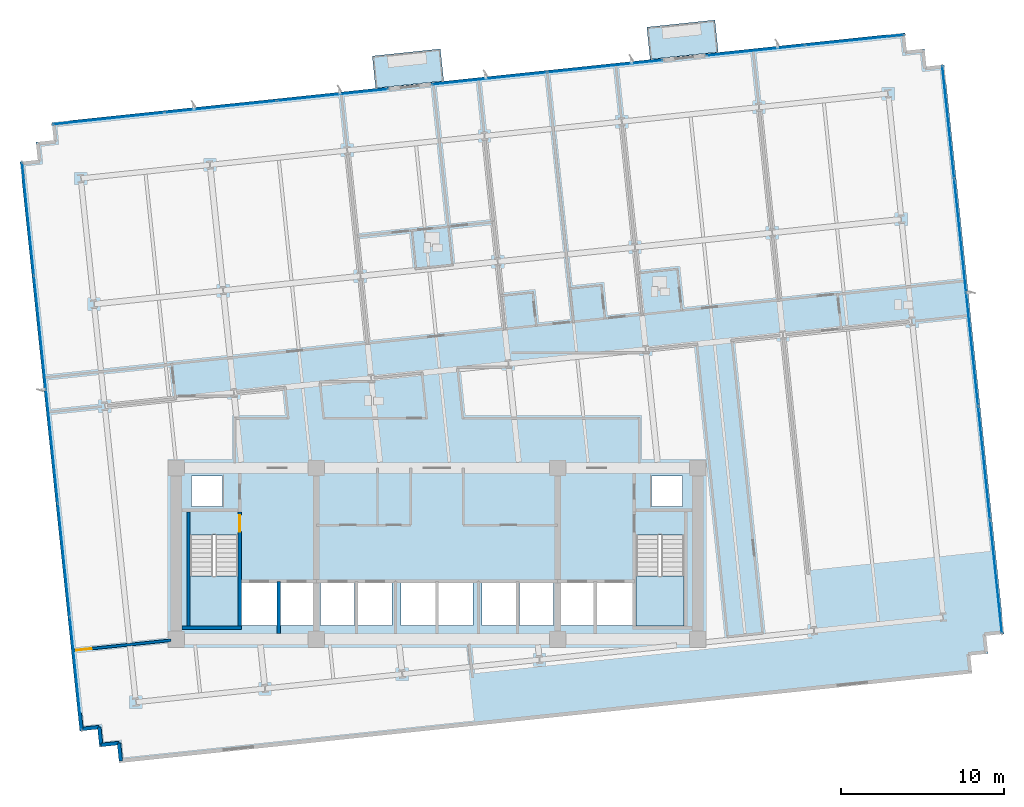
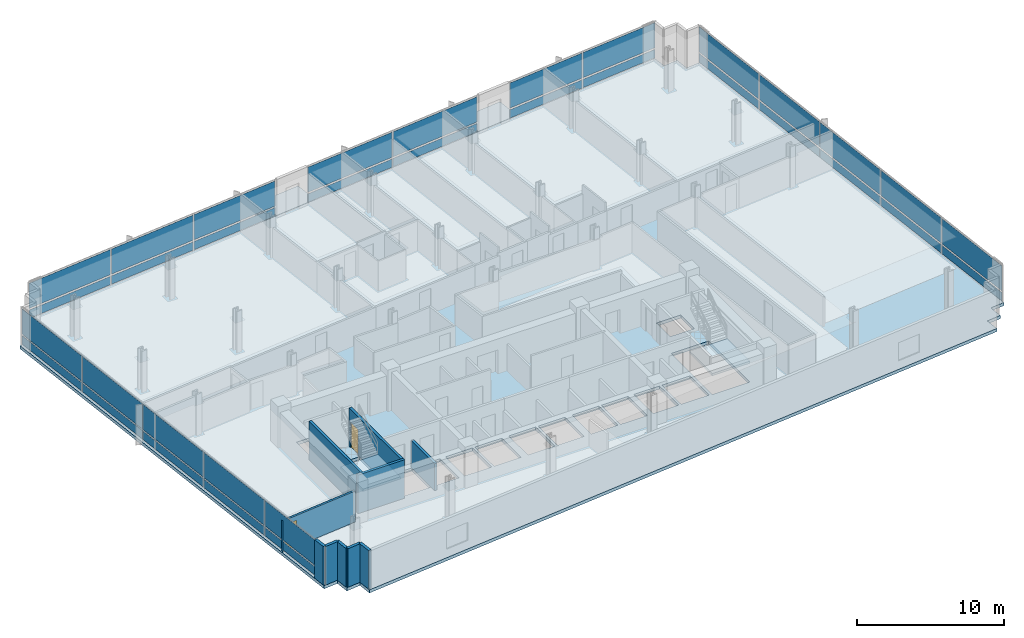
# One storey, part 9 of 17: 34 plates, 10 walls, 5 slabs, 2 doors, 2 openings, 7 elements without a shape of their own.
"""IFC4 building model written with IfcOpenShell, lengths in metres."""

from ifc_helpers import new_model, si_unit, direction, frame, frame_2d, origin, origin_2d, place, context, subcontext, project, spatial, polyline, rectangle, outline, extrude, material, layer, layer_set, type_object, element, fill, aggregate, save


model = new_model("IFC4")

# Units and contexts
model_context = context("Model", 3, precision=1e-05, world=origin(), true_north=direction((0.0, 1.0)))
body_context = subcontext(model_context, "Body", "Model", "MODEL_VIEW")
ifc_project = project(units=[si_unit("LENGTHUNIT", "METRE"), si_unit("AREAUNIT", "SQUARE_METRE"), si_unit("VOLUMEUNIT", "CUBIC_METRE"), si_unit("PLANEANGLEUNIT", "RADIAN"), si_unit("MASSUNIT", "GRAM", prefix="KILO")], contexts=[model_context])

# Site, building, storey
site_placement = place(None, origin())
site = spatial("IfcSite", under=ifc_project, at=site_placement, CompositionType="ELEMENT")
building_placement = place(site_placement, origin())
building = spatial("IfcBuilding", under=site, at=building_placement, Name="Solmavex Isthmus Hotel", CompositionType="ELEMENT")
storey_placement = place(building_placement, frame((0.0, 0.0, 90.449951171875)))
storey = spatial("IfcBuildingStorey", under=building, at=storey_placement, Name="L24", CompositionType="ELEMENT", Elevation=90.449951171875)

# Curtain wall, plates
ifc_material_1 = material(Name="Aluminium alloy 6063-T6", Category="aluminium")
curtain_wall_type = type_object("IfcCurtainWallType", Name="CW-SYS-03", PredefinedType="NOTDEFINED", material=ifc_material_1)
curtain_wall_1_placement = place(storey_placement, origin())
curtain_wall_1 = element("IfcCurtainWall", 1, at=curtain_wall_1_placement, inside=storey, type_object=curtain_wall_type, Name="Stick Curtain Wall CWL-L24-N1", PredefinedType="NOTDEFINED")
ifc_material_2 = material(Name="Clear low-E laminated glass", Category="glass")
ifc_layer_1 = layer(ifc_material_2, 0.030029296875)
ifc_layer_set_1 = layer_set([ifc_layer_1], Name="Clear low-E laminated glass")
plate_type = type_object("IfcPlateType", Name="CW-SYS-03-PNL", PredefinedType="CURTAIN_PANEL", material=ifc_layer_set_1)
plate_1_placement = place(storey_placement, frame((-20.148193359375, 18.93701171875, 0.14013671875), z_axis=(0.0, 0.0, 1.0), x_axis=(0.994521910366, 0.10452832057, 0.0)))
plate_1 = element("IfcPlate", 2, at=plate_1_placement, type_object=plate_type, Name="CW-03 panel 1.1", PredefinedType="CURTAIN_PANEL", context=body_context, shape_type="SweptSolid", body=[
    extrude(rectangle(XDim=6.8173828125, YDim=0.030029296875, at=origin_2d()), origin(), (0.0, 0.0, 1.0), 0.68994140625),
])
plate_2_placement = place(storey_placement, frame((-20.148193359375, 18.93701171875, 0.969970703125), z_axis=(0.0, 0.0, 1.0), x_axis=(0.994521910366, 0.10452832057, 0.0)))
plate_2 = element("IfcPlate", 3, at=plate_2_placement, type_object=plate_type, Name="CW-03 panel 1.2", PredefinedType="CURTAIN_PANEL", context=body_context, shape_type="SweptSolid", body=[
    extrude(rectangle(XDim=6.8173828125, YDim=0.030029296875, at=origin_2d()), origin(), (0.0, 0.0, 1.0), 2.080078125),
])
plate_3_placement = place(storey_placement, frame((-13.28125, 19.65869140625, 0.14013671875), z_axis=(0.0, 0.0, 1.0), x_axis=(0.994521910366, 0.10452832057, 0.0)))
plate_3 = element("IfcPlate", 4, at=plate_3_placement, type_object=plate_type, Name="CW-03 panel 2.1", PredefinedType="CURTAIN_PANEL", context=body_context, shape_type="SweptSolid", body=[
    extrude(rectangle(XDim=6.852294921875, YDim=0.030029296875, at=origin_2d()), origin(), (0.0, 0.0, 1.0), 0.68994140625),
])
plate_4_placement = place(storey_placement, frame((-13.28125, 19.65869140625, 0.969970703125), z_axis=(0.0, 0.0, 1.0), x_axis=(0.994521910366, 0.10452832057, 0.0)))
plate_4 = element("IfcPlate", 5, at=plate_4_placement, type_object=plate_type, Name="CW-03 panel 2.2", PredefinedType="CURTAIN_PANEL", context=body_context, shape_type="SweptSolid", body=[
    extrude(rectangle(XDim=6.852294921875, YDim=0.030029296875, at=origin_2d()), origin(), (0.0, 0.0, 1.0), 2.080078125),
])
plate_5_placement = place(storey_placement, frame((-6.414306640625, 20.38037109375, 0.14013671875), z_axis=(0.0, 0.0, 1.0), x_axis=(0.994521910366, 0.10452832057, 0.0)))
plate_5 = element("IfcPlate", 6, at=plate_5_placement, type_object=plate_type, Name="CW-03 panel 3.1", PredefinedType="CURTAIN_PANEL", context=body_context, shape_type="SweptSolid", body=[
    extrude(rectangle(XDim=6.8173828125, YDim=0.030029296875, at=origin_2d()), origin(), (0.0, 0.0, 1.0), 0.68994140625),
])
plate_6_placement = place(storey_placement, frame((-6.414306640625, 20.38037109375, 0.969970703125), z_axis=(0.0, 0.0, 1.0), x_axis=(0.994521910366, 0.10452832057, 0.0)))
plate_6 = element("IfcPlate", 7, at=plate_6_placement, type_object=plate_type, Name="CW-03 panel 3.2", PredefinedType="CURTAIN_PANEL", context=body_context, shape_type="SweptSolid", body=[
    extrude(rectangle(XDim=6.8173828125, YDim=0.030029296875, at=origin_2d()), origin(), (0.0, 0.0, 1.0), 2.080078125),
])
aggregate(curtain_wall_1, [plate_1, plate_2, plate_3, plate_4, plate_5, plate_6])

curtain_wall_2_placement = place(storey_placement, origin())
curtain_wall_2 = element("IfcCurtainWall", 8, at=curtain_wall_2_placement, inside=storey, type_object=curtain_wall_type, Name="Stick Curtain Wall CWL-L24-N2", PredefinedType="NOTDEFINED")
plate_7_placement = place(storey_placement, frame((3.2119140625, 21.392333984375, 0.14013671875), z_axis=(0.0, 0.0, 1.0), x_axis=(0.994521838546, 0.10452900389, 0.0)))
plate_7 = element("IfcPlate", 9, at=plate_7_placement, type_object=plate_type, Name="CW-03 panel 1.1", PredefinedType="CURTAIN_PANEL", context=body_context, shape_type="SweptSolid", body=[
    extrude(rectangle(XDim=7.06103515625, YDim=0.030029296875, at=origin_2d()), origin(), (0.0, 0.0, 1.0), 0.68994140625),
])
plate_8_placement = place(storey_placement, frame((3.2119140625, 21.392333984375, 0.969970703125), z_axis=(0.0, 0.0, 1.0), x_axis=(0.994521838546, 0.10452900389, 0.0)))
plate_8 = element("IfcPlate", 10, at=plate_8_placement, type_object=plate_type, Name="CW-03 panel 1.2", PredefinedType="CURTAIN_PANEL", context=body_context, shape_type="SweptSolid", body=[
    extrude(rectangle(XDim=7.06103515625, YDim=0.030029296875, at=origin_2d()), origin(), (0.0, 0.0, 1.0), 2.080078125),
])
plate_9_placement = place(storey_placement, frame((10.303955078125, 22.1376953125, 0.14013671875), z_axis=(0.0, 0.0, 1.0), x_axis=(0.994521838546, 0.10452900389, 0.0)))
plate_9 = element("IfcPlate", 11, at=plate_9_placement, type_object=plate_type, Name="CW-03 panel 2.1", PredefinedType="CURTAIN_PANEL", context=body_context, shape_type="SweptSolid", body=[
    extrude(rectangle(XDim=7.06103515625, YDim=0.030029296875, at=origin_2d()), origin(), (0.0, 0.0, 1.0), 0.68994140625),
])
plate_10_placement = place(storey_placement, frame((10.303955078125, 22.1376953125, 0.969970703125), z_axis=(0.0, 0.0, 1.0), x_axis=(0.994521838546, 0.10452900389, 0.0)))
plate_10 = element("IfcPlate", 12, at=plate_10_placement, type_object=plate_type, Name="CW-03 panel 2.2", PredefinedType="CURTAIN_PANEL", context=body_context, shape_type="SweptSolid", body=[
    extrude(rectangle(XDim=7.06103515625, YDim=0.030029296875, at=origin_2d()), origin(), (0.0, 0.0, 1.0), 2.080078125),
])
aggregate(curtain_wall_2, [plate_7, plate_8, plate_9, plate_10])

curtain_wall_3_placement = place(storey_placement, origin())
curtain_wall_3 = element("IfcCurtainWall", 13, at=curtain_wall_3_placement, inside=storey, type_object=curtain_wall_type, Name="Stick Curtain Wall CWL-L24-N3", PredefinedType="NOTDEFINED")
plate_11_placement = place(storey_placement, frame((19.546142578125, 23.109130859375, 0.14013671875), z_axis=(0.0, 0.0, 1.0), x_axis=(0.994521931062, 0.104528123665, 0.0)))
plate_11 = element("IfcPlate", 14, at=plate_11_placement, type_object=plate_type, Name="CW-03 panel 1.1", PredefinedType="CURTAIN_PANEL", context=body_context, shape_type="SweptSolid", body=[
    extrude(rectangle(XDim=6.04541015625, YDim=0.030029296875, at=origin_2d()), origin(), (0.0, 0.0, 1.0), 0.68994140625),
])
plate_12_placement = place(storey_placement, frame((19.546142578125, 23.109130859375, 0.969970703125), z_axis=(0.0, 0.0, 1.0), x_axis=(0.994521931062, 0.104528123665, 0.0)))
plate_12 = element("IfcPlate", 15, at=plate_12_placement, type_object=plate_type, Name="CW-03 panel 1.2", PredefinedType="CURTAIN_PANEL", context=body_context, shape_type="SweptSolid", body=[
    extrude(rectangle(XDim=6.04541015625, YDim=0.030029296875, at=origin_2d()), origin(), (0.0, 0.0, 1.0), 2.080078125),
])
plate_13_placement = place(storey_placement, frame((25.628173828125, 23.748291015625, 0.14013671875), z_axis=(0.0, 0.0, 1.0), x_axis=(0.994521931062, 0.104528123665, 0.0)))
plate_13 = element("IfcPlate", 16, at=plate_13_placement, type_object=plate_type, Name="CW-03 panel 2.1", PredefinedType="CURTAIN_PANEL", context=body_context, shape_type="SweptSolid", body=[
    extrude(rectangle(XDim=6.04541015625, YDim=0.030029296875, at=origin_2d()), origin(), (0.0, 0.0, 1.0), 0.68994140625),
])
plate_14_placement = place(storey_placement, frame((25.628173828125, 23.748291015625, 0.969970703125), z_axis=(0.0, 0.0, 1.0), x_axis=(0.994521931062, 0.104528123665, 0.0)))
plate_14 = element("IfcPlate", 17, at=plate_14_placement, type_object=plate_type, Name="CW-03 panel 2.2", PredefinedType="CURTAIN_PANEL", context=body_context, shape_type="SweptSolid", body=[
    extrude(rectangle(XDim=6.04541015625, YDim=0.030029296875, at=origin_2d()), origin(), (0.0, 0.0, 1.0), 2.080078125),
])
aggregate(curtain_wall_3, [plate_11, plate_12, plate_13, plate_14])

curtain_wall_4_placement = place(storey_placement, origin())
curtain_wall_4 = element("IfcCurtainWall", 18, at=curtain_wall_4_placement, inside=storey, type_object=curtain_wall_type, Name="Stick Curtain Wall CWL-L24-W1", PredefinedType="NOTDEFINED")
plate_15_placement = place(storey_placement, frame((-22.15869140625, -15.1123046875, 0.14013671875), z_axis=(0.0, 0.0, 1.0), x_axis=(-0.104528485381, 0.994521893044, 0.0)))
plate_15 = element("IfcPlate", 19, at=plate_15_placement, type_object=plate_type, Name="CW-03 panel 1.1", PredefinedType="CURTAIN_PANEL", context=body_context, shape_type="SweptSolid", body=[
    extrude(rectangle(XDim=6.9150390625, YDim=0.030029296875, at=origin_2d()), origin(), (0.0, 0.0, 1.0), 0.68994140625),
])
plate_16_placement = place(storey_placement, frame((-22.15869140625, -15.1123046875, 0.969970703125), z_axis=(0.0, 0.0, 1.0), x_axis=(-0.104528485381, 0.994521893044, 0.0)))
plate_16 = element("IfcPlate", 20, at=plate_16_placement, type_object=plate_type, Name="CW-03 panel 1.2", PredefinedType="CURTAIN_PANEL", context=body_context, shape_type="SweptSolid", body=[
    extrude(rectangle(XDim=6.9150390625, YDim=0.030029296875, at=origin_2d()), origin(), (0.0, 0.0, 1.0), 2.080078125),
])
plate_17_placement = place(storey_placement, frame((-22.890625, -8.14794921875, 0.14013671875), z_axis=(0.0, 0.0, 1.0), x_axis=(-0.104528485381, 0.994521893044, 0.0)))
plate_17 = element("IfcPlate", 21, at=plate_17_placement, type_object=plate_type, Name="CW-03 panel 2.1", PredefinedType="CURTAIN_PANEL", context=body_context, shape_type="SweptSolid", body=[
    extrude(rectangle(XDim=6.949951171875, YDim=0.030029296875, at=origin_2d()), origin(), (0.0, 0.0, 1.0), 0.68994140625),
])
plate_18_placement = place(storey_placement, frame((-22.890625, -8.14794921875, 0.969970703125), z_axis=(0.0, 0.0, 1.0), x_axis=(-0.104528485381, 0.994521893044, 0.0)))
plate_18 = element("IfcPlate", 22, at=plate_18_placement, type_object=plate_type, Name="CW-03 panel 2.2", PredefinedType="CURTAIN_PANEL", context=body_context, shape_type="SweptSolid", body=[
    extrude(rectangle(XDim=6.949951171875, YDim=0.030029296875, at=origin_2d()), origin(), (0.0, 0.0, 1.0), 2.080078125),
])
plate_19_placement = place(storey_placement, frame((-23.62451171875, -1.16650390625, 0.14013671875), z_axis=(0.0, 0.0, 1.0), x_axis=(-0.104528485381, 0.994521893044, 0.0)))
plate_19 = element("IfcPlate", 23, at=plate_19_placement, type_object=plate_type, Name="CW-03 panel 3.1", PredefinedType="CURTAIN_PANEL", context=body_context, shape_type="SweptSolid", body=[
    extrude(rectangle(XDim=6.949951171875, YDim=0.030029296875, at=origin_2d()), origin(), (0.0, 0.0, 1.0), 0.68994140625),
])
plate_20_placement = place(storey_placement, frame((-23.62451171875, -1.16650390625, 0.969970703125), z_axis=(0.0, 0.0, 1.0), x_axis=(-0.104528485381, 0.994521893044, 0.0)))
plate_20 = element("IfcPlate", 24, at=plate_20_placement, type_object=plate_type, Name="CW-03 panel 3.2", PredefinedType="CURTAIN_PANEL", context=body_context, shape_type="SweptSolid", body=[
    extrude(rectangle(XDim=6.949951171875, YDim=0.030029296875, at=origin_2d()), origin(), (0.0, 0.0, 1.0), 2.080078125),
])
plate_21_placement = place(storey_placement, frame((-24.3583984375, 5.81494140625, 0.14013671875), z_axis=(0.0, 0.0, 1.0), x_axis=(-0.104528485381, 0.994521893044, 0.0)))
plate_21 = element("IfcPlate", 25, at=plate_21_placement, type_object=plate_type, Name="CW-03 panel 4.1", PredefinedType="CURTAIN_PANEL", context=body_context, shape_type="SweptSolid", body=[
    extrude(rectangle(XDim=6.949951171875, YDim=0.030029296875, at=origin_2d()), origin(), (0.0, 0.0, 1.0), 0.68994140625),
])
plate_22_placement = place(storey_placement, frame((-24.3583984375, 5.81494140625, 0.969970703125), z_axis=(0.0, 0.0, 1.0), x_axis=(-0.104528485381, 0.994521893044, 0.0)))
plate_22 = element("IfcPlate", 26, at=plate_22_placement, type_object=plate_type, Name="CW-03 panel 4.2", PredefinedType="CURTAIN_PANEL", context=body_context, shape_type="SweptSolid", body=[
    extrude(rectangle(XDim=6.949951171875, YDim=0.030029296875, at=origin_2d()), origin(), (0.0, 0.0, 1.0), 2.080078125),
])
plate_23_placement = place(storey_placement, frame((-25.09033203125, 12.779052734375, 0.14013671875), z_axis=(0.0, 0.0, 1.0), x_axis=(-0.104528485381, 0.994521893044, 0.0)))
plate_23 = element("IfcPlate", 27, at=plate_23_placement, type_object=plate_type, Name="CW-03 panel 5.1", PredefinedType="CURTAIN_PANEL", context=body_context, shape_type="SweptSolid", body=[
    extrude(rectangle(XDim=6.9150390625, YDim=0.030029296875, at=origin_2d()), origin(), (0.0, 0.0, 1.0), 0.68994140625),
])
plate_24_placement = place(storey_placement, frame((-25.09033203125, 12.779052734375, 0.969970703125), z_axis=(0.0, 0.0, 1.0), x_axis=(-0.104528485381, 0.994521893044, 0.0)))
plate_24 = element("IfcPlate", 28, at=plate_24_placement, type_object=plate_type, Name="CW-03 panel 5.2", PredefinedType="CURTAIN_PANEL", context=body_context, shape_type="SweptSolid", body=[
    extrude(rectangle(XDim=6.9150390625, YDim=0.030029296875, at=origin_2d()), origin(), (0.0, 0.0, 1.0), 2.080078125),
])
aggregate(curtain_wall_4, [plate_15, plate_16, plate_17, plate_18, plate_19, plate_20, plate_21, plate_22, plate_23, plate_24])

curtain_wall_5_placement = place(storey_placement, origin())
curtain_wall_5 = element("IfcCurtainWall", 29, at=curtain_wall_5_placement, inside=storey, type_object=curtain_wall_type, Name="Stick Curtain Wall CWL-L24-E1", PredefinedType="NOTDEFINED")
plate_25_placement = place(storey_placement, frame((34.290283203125, -9.17919921875, 0.14013671875), z_axis=(0.0, 0.0, 1.0), x_axis=(-0.104528485381, 0.994521893044, 0.0)))
plate_25 = element("IfcPlate", 30, at=plate_25_placement, type_object=plate_type, Name="CW-03 panel 1.1", PredefinedType="CURTAIN_PANEL", context=body_context, shape_type="SweptSolid", body=[
    extrude(rectangle(XDim=6.9150390625, YDim=0.030029296875, at=origin_2d()), origin(), (0.0, 0.0, 1.0), 0.68994140625),
])
plate_26_placement = place(storey_placement, frame((34.290283203125, -9.17919921875, 0.969970703125), z_axis=(0.0, 0.0, 1.0), x_axis=(-0.104528485381, 0.994521893044, 0.0)))
plate_26 = element("IfcPlate", 31, at=plate_26_placement, type_object=plate_type, Name="CW-03 panel 1.2", PredefinedType="CURTAIN_PANEL", context=body_context, shape_type="SweptSolid", body=[
    extrude(rectangle(XDim=6.9150390625, YDim=0.030029296875, at=origin_2d()), origin(), (0.0, 0.0, 1.0), 2.080078125),
])
plate_27_placement = place(storey_placement, frame((33.558349609375, -2.215087890625, 0.14013671875), z_axis=(0.0, 0.0, 1.0), x_axis=(-0.104528485381, 0.994521893044, 0.0)))
plate_27 = element("IfcPlate", 32, at=plate_27_placement, type_object=plate_type, Name="CW-03 panel 2.1", PredefinedType="CURTAIN_PANEL", context=body_context, shape_type="SweptSolid", body=[
    extrude(rectangle(XDim=6.949951171875, YDim=0.030029296875, at=origin_2d()), origin(), (0.0, 0.0, 1.0), 0.68994140625),
])
plate_28_placement = place(storey_placement, frame((33.558349609375, -2.215087890625, 0.969970703125), z_axis=(0.0, 0.0, 1.0), x_axis=(-0.104528485381, 0.994521893044, 0.0)))
plate_28 = element("IfcPlate", 33, at=plate_28_placement, type_object=plate_type, Name="CW-03 panel 2.2", PredefinedType="CURTAIN_PANEL", context=body_context, shape_type="SweptSolid", body=[
    extrude(rectangle(XDim=6.949951171875, YDim=0.030029296875, at=origin_2d()), origin(), (0.0, 0.0, 1.0), 2.080078125),
])
plate_29_placement = place(storey_placement, frame((32.824462890625, 4.7666015625, 0.14013671875), z_axis=(0.0, 0.0, 1.0), x_axis=(-0.104528485381, 0.994521893044, 0.0)))
plate_29 = element("IfcPlate", 34, at=plate_29_placement, type_object=plate_type, Name="CW-03 panel 3.1", PredefinedType="CURTAIN_PANEL", context=body_context, shape_type="SweptSolid", body=[
    extrude(rectangle(XDim=6.949951171875, YDim=0.030029296875, at=origin_2d()), origin(), (0.0, 0.0, 1.0), 0.68994140625),
])
plate_30_placement = place(storey_placement, frame((32.824462890625, 4.7666015625, 0.969970703125), z_axis=(0.0, 0.0, 1.0), x_axis=(-0.104528485381, 0.994521893044, 0.0)))
plate_30 = element("IfcPlate", 35, at=plate_30_placement, type_object=plate_type, Name="CW-03 panel 3.2", PredefinedType="CURTAIN_PANEL", context=body_context, shape_type="SweptSolid", body=[
    extrude(rectangle(XDim=6.949951171875, YDim=0.030029296875, at=origin_2d()), origin(), (0.0, 0.0, 1.0), 2.080078125),
])
plate_31_placement = place(storey_placement, frame((32.0908203125, 11.748046875, 0.14013671875), z_axis=(0.0, 0.0, 1.0), x_axis=(-0.104528485381, 0.994521893044, 0.0)))
plate_31 = element("IfcPlate", 36, at=plate_31_placement, type_object=plate_type, Name="CW-03 panel 4.1", PredefinedType="CURTAIN_PANEL", context=body_context, shape_type="SweptSolid", body=[
    extrude(rectangle(XDim=6.949951171875, YDim=0.030029296875, at=origin_2d()), origin(), (0.0, 0.0, 1.0), 0.68994140625),
])
plate_32_placement = place(storey_placement, frame((32.0908203125, 11.748046875, 0.969970703125), z_axis=(0.0, 0.0, 1.0), x_axis=(-0.104528485381, 0.994521893044, 0.0)))
plate_32 = element("IfcPlate", 37, at=plate_32_placement, type_object=plate_type, Name="CW-03 panel 4.2", PredefinedType="CURTAIN_PANEL", context=body_context, shape_type="SweptSolid", body=[
    extrude(rectangle(XDim=6.949951171875, YDim=0.030029296875, at=origin_2d()), origin(), (0.0, 0.0, 1.0), 2.080078125),
])
plate_33_placement = place(storey_placement, frame((31.35888671875, 18.712158203125, 0.14013671875), z_axis=(0.0, 0.0, 1.0), x_axis=(-0.104528485381, 0.994521893044, 0.0)))
plate_33 = element("IfcPlate", 38, at=plate_33_placement, type_object=plate_type, Name="CW-03 panel 5.1", PredefinedType="CURTAIN_PANEL", context=body_context, shape_type="SweptSolid", body=[
    extrude(rectangle(XDim=6.9150390625, YDim=0.030029296875, at=origin_2d()), origin(), (0.0, 0.0, 1.0), 0.68994140625),
])
plate_34_placement = place(storey_placement, frame((31.35888671875, 18.712158203125, 0.969970703125), z_axis=(0.0, 0.0, 1.0), x_axis=(-0.104528485381, 0.994521893044, 0.0)))
plate_34 = element("IfcPlate", 39, at=plate_34_placement, type_object=plate_type, Name="CW-03 panel 5.2", PredefinedType="CURTAIN_PANEL", context=body_context, shape_type="SweptSolid", body=[
    extrude(rectangle(XDim=6.9150390625, YDim=0.030029296875, at=origin_2d()), origin(), (0.0, 0.0, 1.0), 2.080078125),
])
aggregate(curtain_wall_5, [plate_25, plate_26, plate_27, plate_28, plate_29, plate_30, plate_31, plate_32, plate_33, plate_34])

# Slabs
ifc_material_3 = material(Name="Concrete C40/50", Category="concrete")
ifc_layer_2 = layer(ifc_material_3, 0.239990234375)
ifc_layer_set_2 = layer_set([ifc_layer_2], Name="Concrete C40/50")
slab_type_1 = type_object("IfcSlabType", Name="SLAB-BALC-240", PredefinedType="FLOOR", material=ifc_layer_set_2)
slab_1_placement = place(storey_placement, frame((0.0, 0.0, -0.239990234375)))
element("IfcSlab", 40, at=slab_1_placement, inside=storey, type_object=slab_type_1, Name="Tree-Planter Balcony Slab L24-B1", PredefinedType="FLOOR", context=body_context, shape_type="SweptSolid", body=[
    extrude(outline(polyline([(-3.764404296875, 20.794677734375), (0.41259765625, 21.23388671875), (0.205078125, 23.2080078125), (-3.9716796875, 22.768798828125), (-3.764404296875, 20.794677734375)])), origin(), (0.0, 0.0, 1.0), 0.239990234375),
])
slab_2_placement = place(storey_placement, frame((0.0, 0.0, -0.239990234375)))
element("IfcSlab", 41, at=slab_2_placement, inside=storey, type_object=slab_type_1, Name="Tree-Planter Balcony Slab L24-B2", PredefinedType="FLOOR", context=body_context, shape_type="SweptSolid", body=[
    extrude(outline(polyline([(13.074951171875, 22.564697265625), (17.251953125, 23.003662109375), (17.04443359375, 24.977783203125), (12.867431640625, 24.538818359375), (13.074951171875, 22.564697265625)])), origin(), (0.0, 0.0, 1.0), 0.239990234375),
])
ifc_layer_3 = layer(ifc_material_3, 0.260009765625)
ifc_layer_set_3 = layer_set([ifc_layer_3], Name="Concrete C40/50")
slab_type_2 = type_object("IfcSlabType", Name="SLAB-TYP-260", PredefinedType="FLOOR", material=ifc_layer_set_3)
slab_3_placement = place(storey_placement, frame((0.0, 0.0, -0.260009765625)))
element("IfcSlab", 42, at=slab_3_placement, inside=storey, type_object=slab_type_2, Name="Tower Structural Floor Slab L24", PredefinedType="FLOOR", context=body_context, shape_type="SweptSolid", body=[
    extrude(outline(polyline([(-18.3974609375, -20.475830078125), (31.726318359375, -15.207763671875), (32.8203125, -15.0927734375), (32.705322265625, -13.998779296875), (33.79931640625, -13.8837890625), (33.684326171875, -12.789794921875), (34.7783203125, -12.6748046875), (34.663330078125, -11.580810546875), (31.224365234375, 21.138916015625), (31.109375, 22.23291015625), (30.015380859375, 22.117919921875), (29.900390625, 23.2119140625), (28.806396484375, 23.096923828125), (28.69140625, 24.19091796875), (27.597412109375, 24.075927734375), (-22.5263671875, 18.8076171875), (-23.620361328125, 18.692626953125), (-23.50537109375, 17.5986328125), (-24.599365234375, 17.483642578125), (-24.484375, 16.389892578125), (-25.578369140625, 16.27490234375), (-25.46337890625, 15.180908203125), (-22.0244140625, -17.5390625), (-21.909423828125, -18.6328125), (-20.8154296875, -18.517822265625), (-20.700439453125, -19.61181640625), (-19.6064453125, -19.496826171875), (-19.491455078125, -20.5908203125), (-18.3974609375, -20.475830078125)]), holes=[polyline([(-15.14990234375, -6.617919921875), (-15.14990234375, -12.199951171875), (-12.199951171875, -12.199951171875), (-12.199951171875, -6.617919921875), (-15.14990234375, -6.617919921875)]), polyline([(12.199951171875, -6.617919921875), (12.199951171875, -12.199951171875), (15.14990234375, -12.199951171875), (15.14990234375, -6.617919921875), (12.199951171875, -6.617919921875)]), polyline([(-12.0, -12.14990234375), (-9.800048828125, -12.14990234375), (-9.800048828125, -9.550048828125), (-12.0, -9.550048828125), (-12.0, -12.14990234375)]), polyline([(9.800048828125, -12.14990234375), (12.0, -12.14990234375), (12.0, -9.550048828125), (9.800048828125, -9.550048828125), (9.800048828125, -12.14990234375)]), polyline([(-9.60009765625, -12.14990234375), (-7.60009765625, -12.14990234375), (-7.60009765625, -9.550048828125), (-9.60009765625, -9.550048828125), (-9.60009765625, -12.14990234375)]), polyline([(7.60009765625, -12.14990234375), (9.60009765625, -12.14990234375), (9.60009765625, -9.550048828125), (7.60009765625, -9.550048828125), (7.60009765625, -12.14990234375)]), polyline([(-7.14990234375, -12.14990234375), (-5.050048828125, -12.14990234375), (-5.050048828125, -9.550048828125), (-7.14990234375, -9.550048828125), (-7.14990234375, -12.14990234375)]), polyline([(-4.85009765625, -12.14990234375), (-2.75, -12.14990234375), (-2.75, -9.550048828125), (-4.85009765625, -9.550048828125), (-4.85009765625, -12.14990234375)]), polyline([(-2.199951171875, -12.14990234375), (-0.10009765625, -12.14990234375), (-0.10009765625, -9.550048828125), (-2.199951171875, -9.550048828125), (-2.199951171875, -12.14990234375)]), polyline([(0.10009765625, -12.14990234375), (2.199951171875, -12.14990234375), (2.199951171875, -9.550048828125), (0.10009765625, -9.550048828125), (0.10009765625, -12.14990234375)]), polyline([(2.75, -12.14990234375), (4.85009765625, -12.14990234375), (4.85009765625, -9.550048828125), (2.75, -9.550048828125), (2.75, -12.14990234375)]), polyline([(5.050048828125, -12.14990234375), (7.14990234375, -12.14990234375), (7.14990234375, -9.550048828125), (5.050048828125, -9.550048828125), (5.050048828125, -12.14990234375)]), polyline([(-15.050048828125, -4.85009765625), (-13.14990234375, -4.85009765625), (-13.14990234375, -3.0), (-15.050048828125, -3.0), (-15.050048828125, -4.85009765625)]), polyline([(13.14990234375, -4.85009765625), (15.050048828125, -4.85009765625), (15.050048828125, -3.0), (13.14990234375, -3.0), (13.14990234375, -4.85009765625)])]), origin(), (0.0, 0.0, 1.0), 0.260009765625),
])

# Stair, slab
stair_type_1 = type_object("IfcStairType", Name="STR-ST-1", PredefinedType="HALF_TURN_STAIR", material=ifc_material_3)
stair_1_placement = place(storey_placement, origin())
stair_1 = element("IfcStair", 43, at=stair_1_placement, inside=storey, type_object=stair_type_1, Name="L24 Protected Exit Stair ST-1", PredefinedType="HALF_TURN_STAIR")
ifc_layer_4 = layer(ifc_material_3, 0.219970703125)
ifc_layer_set_4 = layer_set([ifc_layer_4], Name="Concrete C40/50")
slab_type_3 = type_object("IfcSlabType", Name="SLD-ST-1", PredefinedType="LANDING", material=ifc_layer_set_4)
slab_4_placement = place(storey_placement, frame((0.0, 0.0, 1.525146484375)))
slab_4 = element("IfcSlab", 44, at=slab_4_placement, type_object=slab_type_3, Name="ST-1 landing 1", PredefinedType="LANDING", context=body_context, shape_type="SweptSolid", body=[
    extrude(outline(polyline([(-15.14990234375, -9.1201171875), (-15.14990234375, -12.199951171875), (-12.199951171875, -12.199951171875), (-12.199951171875, -9.1201171875), (-15.14990234375, -9.1201171875)])), origin(), (0.0, 0.0, 1.0), 0.199951171875),
])
aggregate(stair_1, [slab_4])

stair_type_2 = type_object("IfcStairType", Name="STR-ST-2", PredefinedType="HALF_TURN_STAIR", material=ifc_material_3)
stair_2_placement = place(storey_placement, origin())
stair_2 = element("IfcStair", 45, at=stair_2_placement, inside=storey, type_object=stair_type_2, Name="L24 Protected Exit Stair ST-2", PredefinedType="HALF_TURN_STAIR")
ifc_layer_5 = layer(ifc_material_3, 0.219970703125)
ifc_layer_set_5 = layer_set([ifc_layer_5], Name="Concrete C40/50")
slab_type_4 = type_object("IfcSlabType", Name="SLD-ST-2", PredefinedType="LANDING", material=ifc_layer_set_5)
slab_5_placement = place(storey_placement, frame((0.0, 0.0, 1.525146484375)))
slab_5 = element("IfcSlab", 46, at=slab_5_placement, type_object=slab_type_4, Name="ST-2 landing 1", PredefinedType="LANDING", context=body_context, shape_type="SweptSolid", body=[
    extrude(outline(polyline([(12.199951171875, -9.1201171875), (12.199951171875, -12.199951171875), (15.14990234375, -12.199951171875), (15.14990234375, -9.1201171875), (12.199951171875, -9.1201171875)])), origin(), (0.0, 0.0, 1.0), 0.199951171875),
])
aggregate(stair_2, [slab_5])

# Walls
ifc_material_4 = material(Name="Precast Concrete C40/50", Category="concrete")
ifc_layer_6 = layer(ifc_material_4, 0.25)
ifc_layer_set_6 = layer_set([ifc_layer_6], Name="Precast Concrete C40/50")
wall_type_1 = type_object("IfcWallType", Name="EW-TWR-250", PredefinedType="STANDARD", material=ifc_layer_set_6)
for number, where, z_axis, x_axis, name in (
    (47, (-19.3935546875, -20.469970703125, 0.0), (0.0, 0.0, 1.0), (-0.104534592565, 0.994521251134, 0.0), "Serrated Corner Facade Panel L24-01"),
    (48, (-19.508544921875, -19.3759765625, 0.0), (0.0, 0.0, 1.0), (-0.994521251134, -0.104534592565, 0.0), "Serrated Corner Facade Panel L24-02"),
    (49, (-20.6025390625, -19.490966796875, 0.0), (0.0, 0.0, 1.0), (-0.104534592565, 0.994521251134, 0.0), "Serrated Corner Facade Panel L24-03"),
    (50, (-20.717529296875, -18.39697265625, 0.0), (0.0, 0.0, 1.0), (-0.994521251134, -0.104534592565, 0.0), "Serrated Corner Facade Panel L24-04"),
):
    element("IfcWall", number, at=place(storey_placement, frame(where, z_axis=z_axis, x_axis=x_axis)), inside=storey, type_object=wall_type_1, Name=name, PredefinedType="STANDARD", context=body_context, shape_type="SweptSolid", body=[
        extrude(rectangle(XDim=1.10009765625, YDim=0.219970703125, at=frame_2d((0.550048828125, 0.0))), origin(), (0.0, 0.0, 1.0), 3.18994140625),
    ])
wall_1_placement = place(storey_placement, frame((-21.8115234375, -18.511962890625, 0.0), z_axis=(0.0, 0.0, 1.0), x_axis=(-0.104556418955, 0.99451895671, 0.0)))
element("IfcWall", 51, at=wall_1_placement, inside=storey, type_object=wall_type_1, Name="Serrated Corner Facade Panel L24-05", PredefinedType="STANDARD", context=body_context, shape_type="SweptSolid", body=[
    extrude(rectangle(XDim=0.989990234375, YDim=0.219970703125, at=frame_2d((0.4951171875, 0.0))), origin(), (0.0, 0.0, 1.0), 3.18994140625),
])

# Wall, opening, door
ifc_material_5 = material(Name="Gypsum plasterboard lining", Category="gypsum")
ifc_layer_7 = layer(ifc_material_5, 0.159912109375)
ifc_layer_set_7 = layer_set([ifc_layer_7], Name="Gypsum plasterboard lining")
wall_type_2 = type_object("IfcWallType", Name="IW-COMP-160", PredefinedType="PARTITIONING", material=ifc_layer_set_7)
wall_2_placement = place(storey_placement, frame((-16.310302734375, -13.067138671875, 0.0), z_axis=(0.0, 0.0, 1.0), x_axis=(-0.994521529203, -0.104531947038, 0.0)))
wall_2 = element("IfcWall", 52, at=wall_2_placement, inside=storey, type_object=wall_type_2, Name="Interior Partition Wall W-L24-P070", PredefinedType="PARTITIONING", context=body_context, shape_type="SweptSolid", body=[
    extrude(rectangle(XDim=6.070068359375, YDim=0.159912109375, at=frame_2d((3.03515625, 0.0))), origin(), (0.0, 0.0, 1.0), 2.55322265625),
])
opening_1_placement = place(wall_2_placement, frame((4.910400390625, 0.0, 0.0)))
opening_1 = element("IfcOpeningElement", 53, at=opening_1_placement, cuts=wall_2, Name="Opening ID-C095", PredefinedType="OPENING", context=body_context, shape_type="SweptSolid", body=[
    extrude(rectangle(XDim=0.949951171875, YDim=2.14990234375, at=frame_2d((0.47509765625, 1.074951171875))), frame((0.0, 0.08984375, 0.0), z_axis=(0.0, -1.0, 0.0), x_axis=(1.0, 0.0, 0.0)), (0.0, 0.0, 1.0), 0.179931640625),
])
ifc_material_6 = material(Name="Hardwood timber", Category="wood")
door_type_1 = type_object("IfcDoorType", Name="IDR-FD60-0950", OperationType="NOTDEFINED", PredefinedType="DOOR", material=ifc_material_6)
door_1_placement = place(opening_1_placement, frame((0.949951171875, 0.0, 0.0), z_axis=(0.0, 0.0, 1.0), x_axis=(-1.0, 0.0, 0.0)))
door_1 = element("IfcDoor", 54, at=door_1_placement, inside=storey, type_object=door_type_1, Name="Corporate Briefing Office Door L24-17", OperationType="SINGLE_SWING_LEFT", OverallHeight=2.14990234375, OverallWidth=0.949951171875, PredefinedType="DOOR", context=body_context, shape_type="SweptSolid", body=[
    extrude(rectangle(XDim=0.949951171875, YDim=2.14990234375, at=frame_2d((0.47509765625, 1.074951171875))), frame((0.0, 0.02490234375, 0.0), z_axis=(0.0, -1.0, 0.0), x_axis=(1.0, 0.0, 0.0)), (0.0, 0.0, 1.0), 0.050048828125),
])
fill(opening_1, door_1)

# Walls
ifc_layer_8 = layer(ifc_material_3, 0.199951171875)
ifc_layer_set_8 = layer_set([ifc_layer_8], Name="Concrete C40/50")
wall_type_3 = type_object("IfcWallType", Name="IW-SHAFT-200", PredefinedType="PARTITIONING", material=ifc_layer_set_8)
wall_3_placement = place(storey_placement, frame((-9.699951171875, -12.64990234375, 0.0), z_axis=(0.0, 0.0, 1.0), x_axis=(0.0, 1.0, 0.0)))
element("IfcWall", 55, at=wall_3_placement, inside=storey, type_object=wall_type_3, Name="Interior Partition Wall W-L24-FFLW-M", PredefinedType="PARTITIONING", context=body_context, shape_type="SweptSolid", body=[
    extrude(rectangle(XDim=3.199951171875, YDim=0.199951171875, at=frame_2d((1.60009765625, 0.0))), origin(), (0.0, 0.0, 1.0), 2.22509765625),
])
ifc_layer_9 = layer(ifc_material_3, 0.199951171875)
ifc_layer_set_9 = layer_set([ifc_layer_9], Name="Concrete C40/50")
wall_type_4 = type_object("IfcWallType", Name="WALL-SW-200", PredefinedType="SOLIDWALL", material=ifc_layer_set_9)
wall_4_placement = place(storey_placement, frame((-15.64990234375, -12.300048828125, 0.0), z_axis=(0.0, 0.0, 1.0), x_axis=(1.0, 0.0, 0.0)))
element("IfcWall", 56, at=wall_4_placement, inside=storey, type_object=wall_type_4, Name="Stairwell Structural Wall SW-L24-ST1-S", PredefinedType="SOLIDWALL", context=body_context, shape_type="SweptSolid", body=[
    extrude(rectangle(XDim=3.64990234375, YDim=0.199951171875, at=frame_2d((1.824951171875, 0.0))), origin(), (0.0, 0.0, 1.0), 3.18994140625),
])
wall_5_placement = place(storey_placement, frame((-15.25, -12.199951171875, 0.0), z_axis=(0.0, 0.0, 1.0), x_axis=(0.0, 1.0, 0.0)))
element("IfcWall", 57, at=wall_5_placement, inside=storey, type_object=wall_type_4, Name="Stairwell Structural Wall SW-L24-ST1-W", PredefinedType="SOLIDWALL", context=body_context, shape_type="SweptSolid", body=[
    extrude(rectangle(XDim=7.0, YDim=0.199951171875, at=frame_2d((3.5, 0.0))), origin(), (0.0, 0.0, 1.0), 3.18994140625),
])

# Wall, opening, door
wall_6_placement = place(storey_placement, frame((-12.10009765625, -12.199951171875, 0.0), z_axis=(0.0, 0.0, 1.0), x_axis=(0.0, 1.0, 0.0)))
wall_6 = element("IfcWall", 58, at=wall_6_placement, inside=storey, type_object=wall_type_4, Name="Stairwell Structural Wall SW-L24-ST1-E", PredefinedType="SOLIDWALL", context=body_context, shape_type="SweptSolid", body=[
    extrude(rectangle(XDim=7.0, YDim=0.199951171875, at=frame_2d((3.5, 0.0))), origin(), (0.0, 0.0, 1.0), 3.18994140625),
])
opening_2_placement = place(wall_6_placement, frame((5.800048828125, 0.0, 0.0)))
opening_2 = element("IfcOpeningElement", 59, at=opening_2_placement, cuts=wall_6, Name="Opening ID-F100", PredefinedType="OPENING", context=body_context, shape_type="SweptSolid", body=[
    extrude(rectangle(XDim=1.0, YDim=2.10009765625, at=frame_2d((0.5, 1.050048828125))), frame((0.0, 0.10986328125, 0.0), z_axis=(0.0, -1.0, 0.0), x_axis=(1.0, 0.0, 0.0)), (0.0, 0.0, 1.0), 0.219970703125),
])
ifc_material_7 = material(Name="Steel ASTM A500 Grade C", Category="steel")
door_type_2 = type_object("IfcDoorType", Name="IDR-FD90-1000", OperationType="NOTDEFINED", PredefinedType="DOOR", material=ifc_material_7)
door_2_placement = place(opening_2_placement, frame((1.0, 0.0, 0.0), z_axis=(0.0, 0.0, 1.0), x_axis=(-1.0, 0.0, 0.0)))
door_2 = element("IfcDoor", 60, at=door_2_placement, inside=storey, type_object=door_type_2, Name="Stair ST-1 Fire Door L24", OperationType="SINGLE_SWING_LEFT", OverallHeight=2.10009765625, OverallWidth=1.0, PredefinedType="DOOR", context=body_context, shape_type="SweptSolid", body=[
    extrude(rectangle(XDim=1.0, YDim=2.10009765625, at=frame_2d((0.5, 1.050048828125))), frame((0.0, 0.02490234375, 0.0), z_axis=(0.0, -1.0, 0.0), x_axis=(1.0, 0.0, 0.0)), (0.0, 0.0, 1.0), 0.050048828125),
])
fill(opening_2, door_2)

save(model, "model.ifc")
